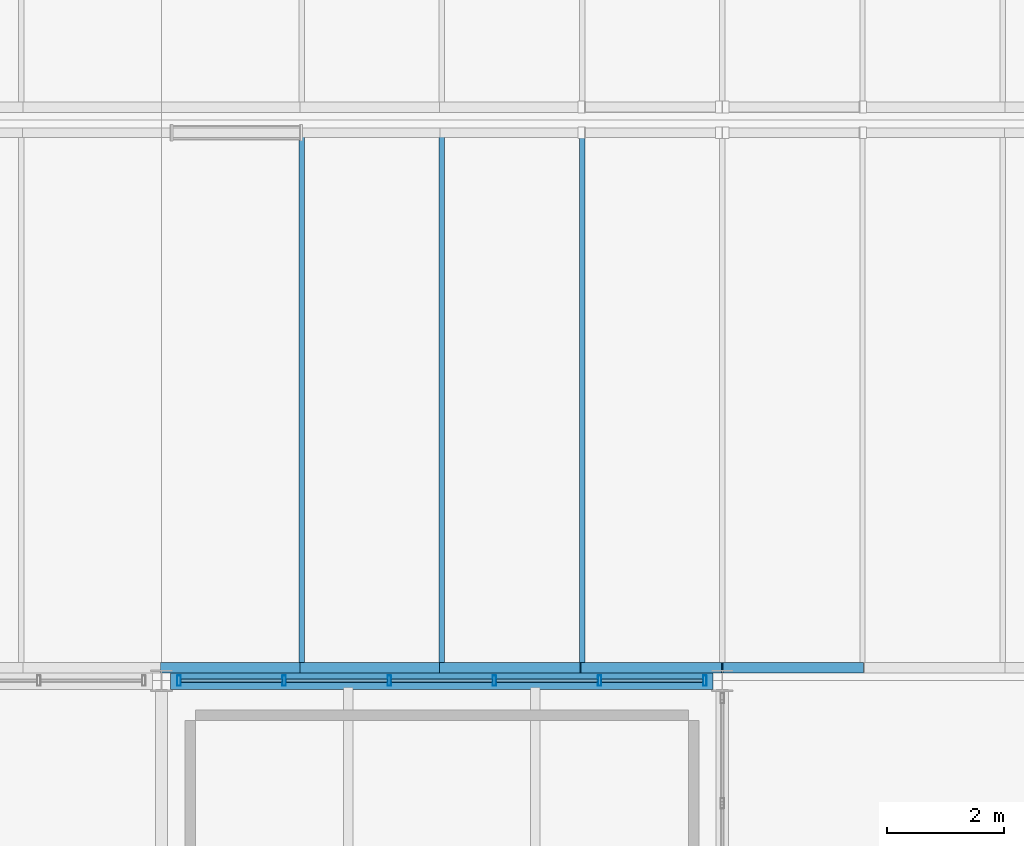
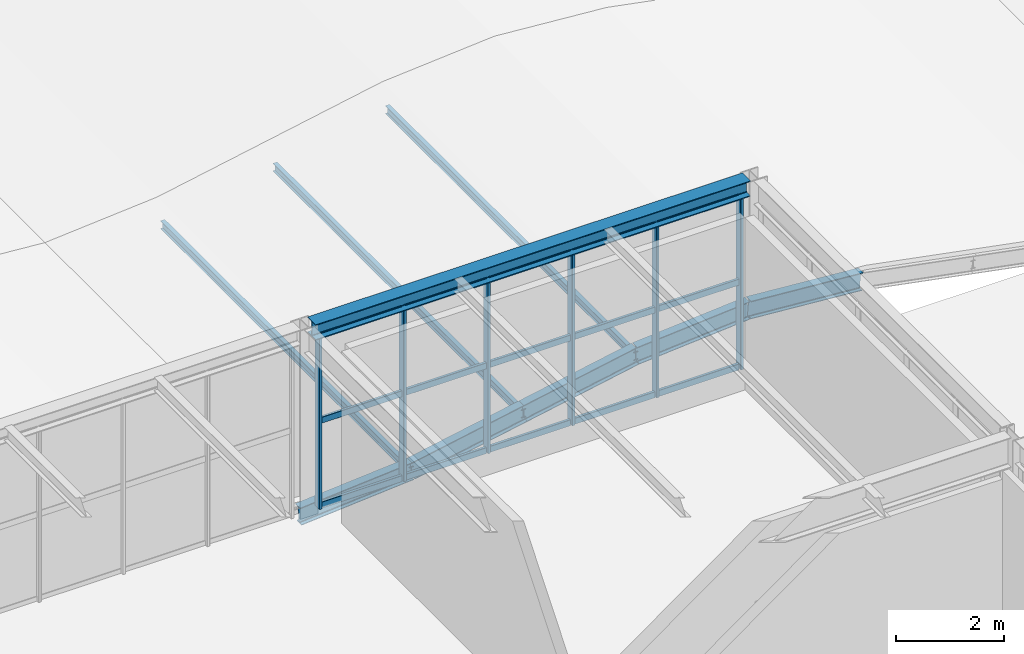
# One storey, part 112 of 170: 24 members, 6 beams, 1 element without a shape of its own.
"""IFC4 building model written with IfcOpenShell, lengths in metres."""

from ifc_helpers import new_model, si_unit, direction, frame, origin, origin_2d, place, context, subcontext, project, spatial, hollow_rectangle, i_section, extrude, material, material_profile, profile_set, type_object, element, aggregate, save


model = new_model("IFC4")

# Units and contexts
model_context = context("Model", 3, precision=1e-05, world=origin(), true_north=direction((0.0, 1.0)))
body_context = subcontext(model_context, "Body", "Model", "MODEL_VIEW")
ifc_project = project(units=[si_unit("LENGTHUNIT", "METRE"), si_unit("AREAUNIT", "SQUARE_METRE"), si_unit("VOLUMEUNIT", "CUBIC_METRE"), si_unit("PLANEANGLEUNIT", "RADIAN"), si_unit("MASSUNIT", "GRAM", prefix="KILO")], contexts=[model_context])

# Site, building, storey
site_placement = place(None, origin())
site = spatial("IfcSite", under=ifc_project, at=site_placement, CompositionType="ELEMENT")
building_placement = place(site_placement, origin())
building = spatial("IfcBuilding", under=site, at=building_placement, Name="Coralgate Yard Interchange", CompositionType="ELEMENT")
storey_placement = place(building_placement, frame((0.0, 0.0, 6.0)))
storey = spatial("IfcBuildingStorey", under=building, at=storey_placement, Name="L01", CompositionType="ELEMENT", Elevation=6.0)

# Beams
ifc_material_1 = material(Name="Structural steel S355J2", Category="steel")
ifc_material_profile_1 = material_profile(ifc_material_1, i_section(OverallWidth=0.300048828125, OverallDepth=0.35009765625, WebThickness=0.010009765625, FlangeThickness=0.017578125, FilletRadius=0.027099609375, at=origin_2d()), Name="HEA 360")
ifc_profile_set_1 = profile_set([ifc_material_profile_1], Name="Structural steel S355J2")
beam_type_1 = type_object("IfcBeamType", Name="BM-SP-1", PredefinedType="SPANDREL", material=ifc_profile_set_1)
beam_1_placement = place(storey_placement, frame((96.15625, 96.0, 4.074951171875), z_axis=(1.0, 0.0, 0.0), x_axis=(0.0, 1.0, 0.0)))
element("IfcBeam", 1, at=beam_1_placement, inside=storey, type_object=beam_type_1, Name="L01 primary grid beam Y10 X10-11", PredefinedType="SPANDREL", context=body_context, shape_type="SweptSolid", body=[
    extrude(i_section(OverallWidth=0.300048828125, OverallDepth=0.35009765625, WebThickness=0.010009765625, FlangeThickness=0.017578125, FilletRadius=0.027099609375, at=origin_2d()), origin(), (0.0, 0.0, 1.0), 9.287353515625),
])
ifc_material_2 = material(Name="Off-white architectural structural steel S355J2", Category="steel")
ifc_material_profile_2 = material_profile(ifc_material_2, i_section(OverallWidth=0.179931640625, OverallDepth=0.39990234375, WebThickness=0.008544921875, FlangeThickness=0.013427734375, FilletRadius=0.02099609375, at=origin_2d()), Name="IPE 400")
ifc_profile_set_2 = profile_set([ifc_material_profile_2], Name="Off-white architectural structural steel S355J2")
beam_type_2 = type_object("IfcBeamType", Name="BM-WR-1", PredefinedType="BEAM", material=ifc_profile_set_2)
beam_2_placement = place(storey_placement, frame((96.0, 96.219970703125, -0.199951171875), z_axis=(0.996866661985, 0.0, 0.079100304817), x_axis=(0.0, 1.0, 0.0)))
element("IfcBeam", 2, at=beam_2_placement, inside=storey, type_object=beam_type_2, Name="Wave-shell steel arch rib R1-W4-S1", PredefinedType="BEAM", context=body_context, shape_type="SweptSolid", body=[
    extrude(i_section(OverallWidth=0.179931640625, OverallDepth=0.39990234375, WebThickness=0.008544921875, FlangeThickness=0.013427734375, FilletRadius=0.02099609375, at=origin_2d()), origin(), (0.0, 0.0, 1.0), 2.407470703125),
])
beam_3_placement = place(storey_placement, frame((98.39990234375, 96.219970703125, -0.009521484375), z_axis=(0.982165006537, 0.0, 0.188021009287), x_axis=(0.0, 1.0, 0.0)))
element("IfcBeam", 3, at=beam_3_placement, inside=storey, type_object=beam_type_2, Name="Wave-shell steel arch rib R1-W4-S2", PredefinedType="BEAM", context=body_context, shape_type="SweptSolid", body=[
    extrude(i_section(OverallWidth=0.179931640625, OverallDepth=0.39990234375, WebThickness=0.008544921875, FlangeThickness=0.013427734375, FilletRadius=0.02099609375, at=origin_2d()), origin(), (0.0, 0.0, 1.0), 2.44384765625),
])
beam_4_placement = place(storey_placement, frame((100.800048828125, 96.219970703125, 0.449951171875), z_axis=(0.98214301705, 0.0, 0.18813583938), x_axis=(0.0, 1.0, 0.0)))
element("IfcBeam", 4, at=beam_4_placement, inside=storey, type_object=beam_type_2, Name="Wave-shell steel arch rib R1-W4-S3", PredefinedType="BEAM", context=body_context, shape_type="SweptSolid", body=[
    extrude(i_section(OverallWidth=0.179931640625, OverallDepth=0.39990234375, WebThickness=0.008544921875, FlangeThickness=0.013427734375, FilletRadius=0.02099609375, at=origin_2d()), origin(), (0.0, 0.0, 1.0), 2.443603515625),
])
beam_5_placement = place(storey_placement, frame((103.199951171875, 96.219970703125, 0.90966796875), z_axis=(0.996867296401, 0.0, 0.079092309144), x_axis=(0.0, 1.0, 0.0)))
element("IfcBeam", 5, at=beam_5_placement, inside=storey, type_object=beam_type_2, Name="Wave-shell steel arch rib R1-W4-S4", PredefinedType="BEAM", context=body_context, shape_type="SweptSolid", body=[
    extrude(i_section(OverallWidth=0.179931640625, OverallDepth=0.39990234375, WebThickness=0.008544921875, FlangeThickness=0.013427734375, FilletRadius=0.02099609375, at=origin_2d()), origin(), (0.0, 0.0, 1.0), 2.40771484375),
])
beam_6_placement = place(storey_placement, frame((105.60009765625, 96.219970703125, 1.10009765625), z_axis=(0.996866661985, 0.0, -0.079100304817), x_axis=(0.0, 1.0, 0.0)))
element("IfcBeam", 6, at=beam_6_placement, inside=storey, type_object=beam_type_2, Name="Wave-shell steel arch rib R1-W4-S5", PredefinedType="BEAM", context=body_context, shape_type="SweptSolid", body=[
    extrude(i_section(OverallWidth=0.179931640625, OverallDepth=0.39990234375, WebThickness=0.008544921875, FlangeThickness=0.013427734375, FilletRadius=0.02099609375, at=origin_2d()), origin(), (0.0, 0.0, 1.0), 2.407470703125),
])

# Curtain wall, members
ifc_material_3 = material(Name="Anodised coastal aluminium and solar-control low-E glass", Category="aluminium")
curtain_wall_type = type_object("IfcCurtainWallType", Name="CW-CW-L01-A", PredefinedType="NOTDEFINED", material=ifc_material_3)
curtain_wall_placement = place(storey_placement, origin())
curtain_wall = element("IfcCurtainWall", 7, at=curtain_wall_placement, inside=storey, type_object=curtain_wall_type, Name="L01 unitised curtain wall CW-L01-N-10-09", PredefinedType="NOTDEFINED")
ifc_material_4 = material(Name="Anodised coastal aluminium 6063-T6", Category="aluminium")
ifc_material_profile_3 = material_profile(ifc_material_4, hollow_rectangle(XDim=0.06005859375, YDim=0.179931640625, WallThickness=0.00390625, InnerFilletRadius=0.00390625, OuterFilletRadius=0.008056640625, at=origin_2d()), Name="ALU 60x180x4")
ifc_profile_set_3 = profile_set([ifc_material_profile_3], Name="Anodised coastal aluminium 6063-T6")
member_type_1 = type_object("IfcMemberType", Name="MB-MUL-180", PredefinedType="MULLION", material=ifc_profile_set_3)
member_1_placement = place(storey_placement, frame((96.300048828125, 96.0, 0.0), z_axis=(0.0, 0.0, 1.0), x_axis=(1.0, 0.0, 0.0)))
member_1 = element("IfcMember", 8, at=member_1_placement, type_object=member_type_1, Name="CW-L01-N-10-09 vertical mullion 1", PredefinedType="MULLION", context=body_context, shape_type="SweptSolid", body=[
    extrude(hollow_rectangle(XDim=0.06005859375, YDim=0.179931640625, WallThickness=0.00390625, InnerFilletRadius=0.00390625, OuterFilletRadius=0.008056640625, at=origin_2d()), origin(), (0.0, 0.0, 1.0), 3.89990234375),
])
member_2_placement = place(storey_placement, frame((98.10009765625, 96.0, 0.0), z_axis=(0.0, 0.0, 1.0), x_axis=(1.0, 0.0, 0.0)))
member_2 = element("IfcMember", 9, at=member_2_placement, type_object=member_type_1, Name="CW-L01-N-10-09 vertical mullion 2", PredefinedType="MULLION", context=body_context, shape_type="SweptSolid", body=[
    extrude(hollow_rectangle(XDim=0.06005859375, YDim=0.179931640625, WallThickness=0.00390625, InnerFilletRadius=0.00390625, OuterFilletRadius=0.008056640625, at=origin_2d()), origin(), (0.0, 0.0, 1.0), 3.89990234375),
])
member_3_placement = place(storey_placement, frame((99.89990234375, 96.0, 0.0), z_axis=(0.0, 0.0, 1.0), x_axis=(1.0, 0.0, 0.0)))
member_3 = element("IfcMember", 10, at=member_3_placement, type_object=member_type_1, Name="CW-L01-N-10-09 vertical mullion 3", PredefinedType="MULLION", context=body_context, shape_type="SweptSolid", body=[
    extrude(hollow_rectangle(XDim=0.06005859375, YDim=0.179931640625, WallThickness=0.00390625, InnerFilletRadius=0.00390625, OuterFilletRadius=0.008056640625, at=origin_2d()), origin(), (0.0, 0.0, 1.0), 3.89990234375),
])
member_4_placement = place(storey_placement, frame((101.699951171875, 96.0, 0.0), z_axis=(0.0, 0.0, 1.0), x_axis=(1.0, 0.0, 0.0)))
member_4 = element("IfcMember", 11, at=member_4_placement, type_object=member_type_1, Name="CW-L01-N-10-09 vertical mullion 4", PredefinedType="MULLION", context=body_context, shape_type="SweptSolid", body=[
    extrude(hollow_rectangle(XDim=0.06005859375, YDim=0.179931640625, WallThickness=0.00390625, InnerFilletRadius=0.00390625, OuterFilletRadius=0.008056640625, at=origin_2d()), origin(), (0.0, 0.0, 1.0), 3.89990234375),
])
member_5_placement = place(storey_placement, frame((103.5, 96.0, 0.0), z_axis=(0.0, 0.0, 1.0), x_axis=(1.0, 0.0, 0.0)))
member_5 = element("IfcMember", 12, at=member_5_placement, type_object=member_type_1, Name="CW-L01-N-10-09 vertical mullion 5", PredefinedType="MULLION", context=body_context, shape_type="SweptSolid", body=[
    extrude(hollow_rectangle(XDim=0.06005859375, YDim=0.179931640625, WallThickness=0.00390625, InnerFilletRadius=0.00390625, OuterFilletRadius=0.008056640625, at=origin_2d()), origin(), (0.0, 0.0, 1.0), 3.89990234375),
])
member_6_placement = place(storey_placement, frame((105.300048828125, 96.0, 0.0), z_axis=(0.0, 0.0, 1.0), x_axis=(1.0, 0.0, 0.0)))
member_6 = element("IfcMember", 13, at=member_6_placement, type_object=member_type_1, Name="CW-L01-N-10-09 vertical mullion 6", PredefinedType="MULLION", context=body_context, shape_type="SweptSolid", body=[
    extrude(hollow_rectangle(XDim=0.06005859375, YDim=0.179931640625, WallThickness=0.00390625, InnerFilletRadius=0.00390625, OuterFilletRadius=0.008056640625, at=origin_2d()), origin(), (0.0, 0.0, 1.0), 3.89990234375),
])

# Members
ifc_material_profile_4 = material_profile(ifc_material_2, i_section(OverallWidth=0.091064453125, OverallDepth=0.179931640625, WebThickness=0.00537109375, FlangeThickness=0.008056640625, FilletRadius=0.009033203125, at=origin_2d()), Name="IPE 180")
ifc_profile_set_4 = profile_set([ifc_material_profile_4], Name="Off-white architectural structural steel S355J2")
member_type_2 = type_object("IfcMemberType", Name="MB-PR-2", PredefinedType="PURLIN", material=ifc_profile_set_4)
for number, where, z_axis, x_axis, name in (
    (14, (98.39990234375, 96.199951171875, -0.049560546875), (0.0, 1.0, 0.0), (-1.0, 0.0, 0.0), "Wave-shell purlin R1-W4-2"),
    (15, (100.800048828125, 96.199951171875, 0.409912109375), (0.0, 1.0, 0.0), (-1.0, 0.0, 0.0), "Wave-shell purlin R1-W4-3"),
    (16, (103.199951171875, 96.199951171875, 0.86962890625), (0.0, 1.0, 0.0), (-1.0, 0.0, 0.0), "Wave-shell purlin R1-W4-4"),
):
    element("IfcMember", number, at=place(storey_placement, frame(where, z_axis=z_axis, x_axis=x_axis)), inside=storey, type_object=member_type_2, Name=name, PredefinedType="PURLIN", context=body_context, shape_type="SweptSolid", body=[
        extrude(i_section(OverallWidth=0.091064453125, OverallDepth=0.179931640625, WebThickness=0.00537109375, FlangeThickness=0.008056640625, FilletRadius=0.009033203125, at=origin_2d()), origin(), (0.0, 0.0, 1.0), 9.199951171875),
    ])

# Member
ifc_material_profile_5 = material_profile(ifc_material_4, hollow_rectangle(XDim=0.06005859375, YDim=0.139892578125, WallThickness=0.00341796875, InnerFilletRadius=0.00341796875, OuterFilletRadius=0.007080078125, at=origin_2d()), Name="ALU 60x140x3.5")
ifc_profile_set_5 = profile_set([ifc_material_profile_5], Name="Anodised coastal aluminium 6063-T6")
member_type_3 = type_object("IfcMemberType", Name="MB-TRN-140", PredefinedType="USERDEFINED", material=ifc_profile_set_5)
member_7_placement = place(storey_placement, frame((96.330078125, 96.0, 0.034912109375), z_axis=(1.0, 0.0, 0.0), x_axis=(0.0, 1.0, 0.0)))
member_7 = element("IfcMember", 17, at=member_7_placement, type_object=member_type_3, Name="CW-L01-N-10-09 horizontal transom 1-1", ObjectType="TRANSOM", PredefinedType="USERDEFINED", context=body_context, shape_type="SweptSolid", body=[
    extrude(hollow_rectangle(XDim=0.06005859375, YDim=0.139892578125, WallThickness=0.00341796875, InnerFilletRadius=0.00341796875, OuterFilletRadius=0.007080078125, at=origin_2d()), origin(), (0.0, 0.0, 1.0), 1.739990234375),
])

member_8_placement = place(storey_placement, frame((96.330078125, 96.0, 1.949951171875), z_axis=(1.0, 0.0, 0.0), x_axis=(0.0, 1.0, 0.0)))
member_8 = element("IfcMember", 18, at=member_8_placement, type_object=member_type_3, Name="CW-L01-N-10-09 horizontal transom 1-2", ObjectType="TRANSOM", PredefinedType="USERDEFINED", context=body_context, shape_type="SweptSolid", body=[
    extrude(hollow_rectangle(XDim=0.06005859375, YDim=0.139892578125, WallThickness=0.00341796875, InnerFilletRadius=0.00341796875, OuterFilletRadius=0.007080078125, at=origin_2d()), origin(), (0.0, 0.0, 1.0), 1.739990234375),
])

member_9_placement = place(storey_placement, frame((96.330078125, 96.0, 3.864990234375), z_axis=(1.0, 0.0, 0.0), x_axis=(0.0, 1.0, 0.0)))
member_9 = element("IfcMember", 19, at=member_9_placement, type_object=member_type_3, Name="CW-L01-N-10-09 horizontal transom 1-3", ObjectType="TRANSOM", PredefinedType="USERDEFINED", context=body_context, shape_type="SweptSolid", body=[
    extrude(hollow_rectangle(XDim=0.06005859375, YDim=0.139892578125, WallThickness=0.00341796875, InnerFilletRadius=0.00341796875, OuterFilletRadius=0.007080078125, at=origin_2d()), origin(), (0.0, 0.0, 1.0), 1.739990234375),
])

member_10_placement = place(storey_placement, frame((98.1298828125, 96.0, 0.034912109375), z_axis=(1.0, 0.0, 0.0), x_axis=(0.0, 1.0, 0.0)))
member_10 = element("IfcMember", 20, at=member_10_placement, type_object=member_type_3, Name="CW-L01-N-10-09 horizontal transom 2-1", ObjectType="TRANSOM", PredefinedType="USERDEFINED", context=body_context, shape_type="SweptSolid", body=[
    extrude(hollow_rectangle(XDim=0.06005859375, YDim=0.139892578125, WallThickness=0.00341796875, InnerFilletRadius=0.00341796875, OuterFilletRadius=0.007080078125, at=origin_2d()), origin(), (0.0, 0.0, 1.0), 1.740234375),
])

member_11_placement = place(storey_placement, frame((98.1298828125, 96.0, 1.949951171875), z_axis=(1.0, 0.0, 0.0), x_axis=(0.0, 1.0, 0.0)))
member_11 = element("IfcMember", 21, at=member_11_placement, type_object=member_type_3, Name="CW-L01-N-10-09 horizontal transom 2-2", ObjectType="TRANSOM", PredefinedType="USERDEFINED", context=body_context, shape_type="SweptSolid", body=[
    extrude(hollow_rectangle(XDim=0.06005859375, YDim=0.139892578125, WallThickness=0.00341796875, InnerFilletRadius=0.00341796875, OuterFilletRadius=0.007080078125, at=origin_2d()), origin(), (0.0, 0.0, 1.0), 1.740234375),
])

member_12_placement = place(storey_placement, frame((98.1298828125, 96.0, 3.864990234375), z_axis=(1.0, 0.0, 0.0), x_axis=(0.0, 1.0, 0.0)))
member_12 = element("IfcMember", 22, at=member_12_placement, type_object=member_type_3, Name="CW-L01-N-10-09 horizontal transom 2-3", ObjectType="TRANSOM", PredefinedType="USERDEFINED", context=body_context, shape_type="SweptSolid", body=[
    extrude(hollow_rectangle(XDim=0.06005859375, YDim=0.139892578125, WallThickness=0.00341796875, InnerFilletRadius=0.00341796875, OuterFilletRadius=0.007080078125, at=origin_2d()), origin(), (0.0, 0.0, 1.0), 1.740234375),
])

member_13_placement = place(storey_placement, frame((99.929931640625, 96.0, 0.034912109375), z_axis=(1.0, 0.0, 0.0), x_axis=(0.0, 1.0, 0.0)))
member_13 = element("IfcMember", 23, at=member_13_placement, type_object=member_type_3, Name="CW-L01-N-10-09 horizontal transom 3-1", ObjectType="TRANSOM", PredefinedType="USERDEFINED", context=body_context, shape_type="SweptSolid", body=[
    extrude(hollow_rectangle(XDim=0.06005859375, YDim=0.139892578125, WallThickness=0.00341796875, InnerFilletRadius=0.00341796875, OuterFilletRadius=0.007080078125, at=origin_2d()), origin(), (0.0, 0.0, 1.0), 1.739990234375),
])

member_14_placement = place(storey_placement, frame((99.929931640625, 96.0, 1.949951171875), z_axis=(1.0, 0.0, 0.0), x_axis=(0.0, 1.0, 0.0)))
member_14 = element("IfcMember", 24, at=member_14_placement, type_object=member_type_3, Name="CW-L01-N-10-09 horizontal transom 3-2", ObjectType="TRANSOM", PredefinedType="USERDEFINED", context=body_context, shape_type="SweptSolid", body=[
    extrude(hollow_rectangle(XDim=0.06005859375, YDim=0.139892578125, WallThickness=0.00341796875, InnerFilletRadius=0.00341796875, OuterFilletRadius=0.007080078125, at=origin_2d()), origin(), (0.0, 0.0, 1.0), 1.739990234375),
])

member_15_placement = place(storey_placement, frame((99.929931640625, 96.0, 3.864990234375), z_axis=(1.0, 0.0, 0.0), x_axis=(0.0, 1.0, 0.0)))
member_15 = element("IfcMember", 25, at=member_15_placement, type_object=member_type_3, Name="CW-L01-N-10-09 horizontal transom 3-3", ObjectType="TRANSOM", PredefinedType="USERDEFINED", context=body_context, shape_type="SweptSolid", body=[
    extrude(hollow_rectangle(XDim=0.06005859375, YDim=0.139892578125, WallThickness=0.00341796875, InnerFilletRadius=0.00341796875, OuterFilletRadius=0.007080078125, at=origin_2d()), origin(), (0.0, 0.0, 1.0), 1.739990234375),
])

member_16_placement = place(storey_placement, frame((101.72998046875, 96.0, 0.034912109375), z_axis=(1.0, 0.0, 0.0), x_axis=(0.0, 1.0, 0.0)))
member_16 = element("IfcMember", 26, at=member_16_placement, type_object=member_type_3, Name="CW-L01-N-10-09 horizontal transom 4-1", ObjectType="TRANSOM", PredefinedType="USERDEFINED", context=body_context, shape_type="SweptSolid", body=[
    extrude(hollow_rectangle(XDim=0.06005859375, YDim=0.139892578125, WallThickness=0.00341796875, InnerFilletRadius=0.00341796875, OuterFilletRadius=0.007080078125, at=origin_2d()), origin(), (0.0, 0.0, 1.0), 1.739990234375),
])

member_17_placement = place(storey_placement, frame((101.72998046875, 96.0, 1.949951171875), z_axis=(1.0, 0.0, 0.0), x_axis=(0.0, 1.0, 0.0)))
member_17 = element("IfcMember", 27, at=member_17_placement, type_object=member_type_3, Name="CW-L01-N-10-09 horizontal transom 4-2", ObjectType="TRANSOM", PredefinedType="USERDEFINED", context=body_context, shape_type="SweptSolid", body=[
    extrude(hollow_rectangle(XDim=0.06005859375, YDim=0.139892578125, WallThickness=0.00341796875, InnerFilletRadius=0.00341796875, OuterFilletRadius=0.007080078125, at=origin_2d()), origin(), (0.0, 0.0, 1.0), 1.739990234375),
])

member_18_placement = place(storey_placement, frame((101.72998046875, 96.0, 3.864990234375), z_axis=(1.0, 0.0, 0.0), x_axis=(0.0, 1.0, 0.0)))
member_18 = element("IfcMember", 28, at=member_18_placement, type_object=member_type_3, Name="CW-L01-N-10-09 horizontal transom 4-3", ObjectType="TRANSOM", PredefinedType="USERDEFINED", context=body_context, shape_type="SweptSolid", body=[
    extrude(hollow_rectangle(XDim=0.06005859375, YDim=0.139892578125, WallThickness=0.00341796875, InnerFilletRadius=0.00341796875, OuterFilletRadius=0.007080078125, at=origin_2d()), origin(), (0.0, 0.0, 1.0), 1.739990234375),
])

member_19_placement = place(storey_placement, frame((103.530029296875, 96.0, 0.034912109375), z_axis=(1.0, 0.0, 0.0), x_axis=(0.0, 1.0, 0.0)))
member_19 = element("IfcMember", 29, at=member_19_placement, type_object=member_type_3, Name="CW-L01-N-10-09 horizontal transom 5-1", ObjectType="TRANSOM", PredefinedType="USERDEFINED", context=body_context, shape_type="SweptSolid", body=[
    extrude(hollow_rectangle(XDim=0.06005859375, YDim=0.139892578125, WallThickness=0.00341796875, InnerFilletRadius=0.00341796875, OuterFilletRadius=0.007080078125, at=origin_2d()), origin(), (0.0, 0.0, 1.0), 1.739990234375),
])

member_20_placement = place(storey_placement, frame((103.530029296875, 96.0, 1.949951171875), z_axis=(1.0, 0.0, 0.0), x_axis=(0.0, 1.0, 0.0)))
member_20 = element("IfcMember", 30, at=member_20_placement, type_object=member_type_3, Name="CW-L01-N-10-09 horizontal transom 5-2", ObjectType="TRANSOM", PredefinedType="USERDEFINED", context=body_context, shape_type="SweptSolid", body=[
    extrude(hollow_rectangle(XDim=0.06005859375, YDim=0.139892578125, WallThickness=0.00341796875, InnerFilletRadius=0.00341796875, OuterFilletRadius=0.007080078125, at=origin_2d()), origin(), (0.0, 0.0, 1.0), 1.739990234375),
])

member_21_placement = place(storey_placement, frame((103.530029296875, 96.0, 3.864990234375), z_axis=(1.0, 0.0, 0.0), x_axis=(0.0, 1.0, 0.0)))
member_21 = element("IfcMember", 31, at=member_21_placement, type_object=member_type_3, Name="CW-L01-N-10-09 horizontal transom 5-3", ObjectType="TRANSOM", PredefinedType="USERDEFINED", context=body_context, shape_type="SweptSolid", body=[
    extrude(hollow_rectangle(XDim=0.06005859375, YDim=0.139892578125, WallThickness=0.00341796875, InnerFilletRadius=0.00341796875, OuterFilletRadius=0.007080078125, at=origin_2d()), origin(), (0.0, 0.0, 1.0), 1.739990234375),
])

aggregate(curtain_wall, [member_1, member_2, member_3, member_4, member_5, member_6, member_7, member_8, member_9, member_10, member_11, member_12, member_13, member_14, member_15, member_16, member_17, member_18, member_19, member_20, member_21])

save(model, "model.ifc")
